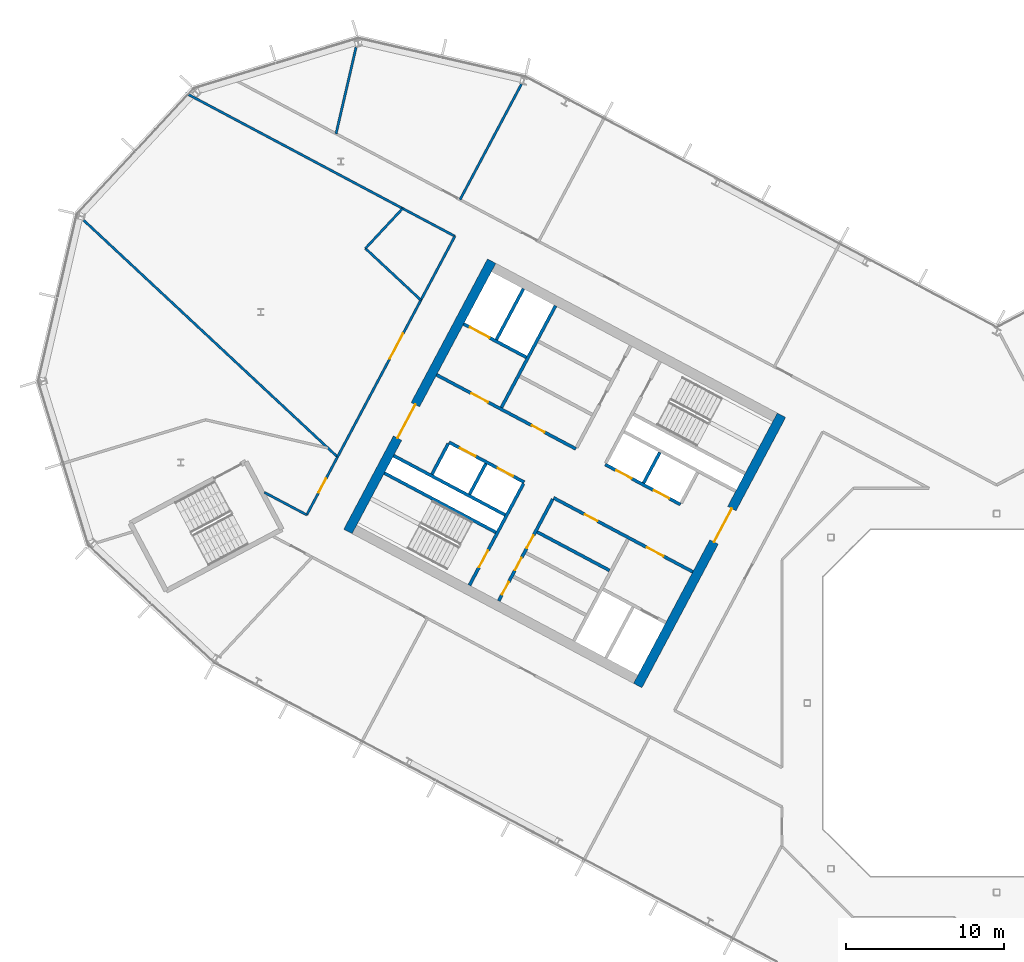
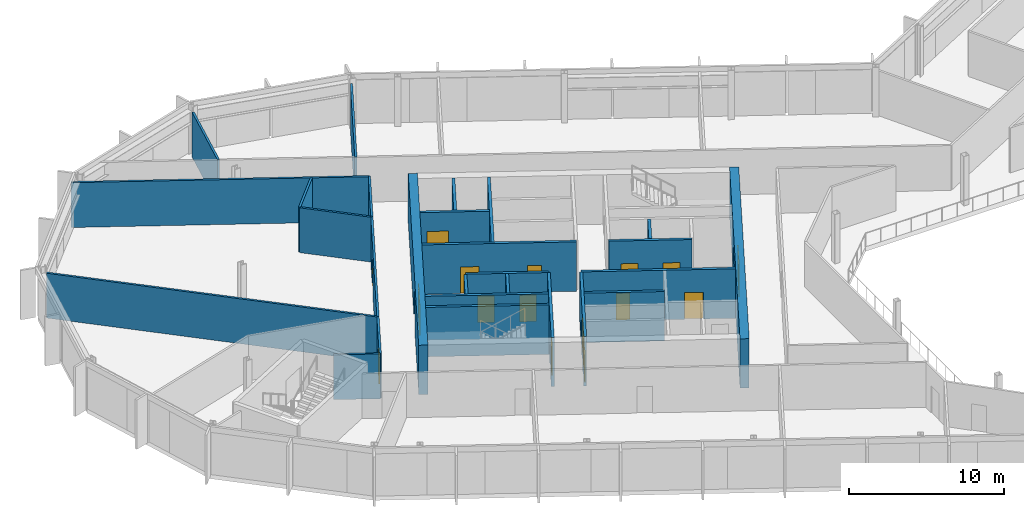
# One storey, part 14 of 27: 26 walls, 17 doors, 17 openings.
"""IFC4 building model written with IfcOpenShell, lengths in metres."""

from ifc_helpers import new_model, si_unit, direction, frame, frame_2d, origin, place, context, subcontext, project, spatial, rectangle, extrude, material, layer, layer_set, type_object, element, fill, save


model = new_model("IFC4")

# Units and contexts
model_context = context("Model", 3, precision=1e-05, world=origin(), true_north=direction((0.0, 1.0)))
body_context = subcontext(model_context, "Body", "Model", "MODEL_VIEW")
ifc_project = project(units=[si_unit("LENGTHUNIT", "METRE"), si_unit("AREAUNIT", "SQUARE_METRE"), si_unit("VOLUMEUNIT", "CUBIC_METRE"), si_unit("PLANEANGLEUNIT", "RADIAN"), si_unit("MASSUNIT", "GRAM", prefix="KILO")], contexts=[model_context])

# Site, building, storey
site_placement = place(None, origin())
site = spatial("IfcSite", under=ifc_project, at=site_placement, CompositionType="ELEMENT")
building_placement = place(site_placement, origin())
building = spatial("IfcBuilding", under=site, at=building_placement, Name="Cormorant Relay Tower", CompositionType="ELEMENT")
storey_placement = place(building_placement, frame((0.0, 0.0, 232.5)))
storey = spatial("IfcBuildingStorey", under=building, at=storey_placement, Name="L51", CompositionType="ELEMENT", Elevation=232.5)

# Walls
ifc_material_1 = material(Name="Concrete 40 MPa", Category="concrete")
ifc_layer_1 = layer(ifc_material_1, 0.199951171875)
ifc_layer_set_1 = layer_set([ifc_layer_1], Name="Core internal wall 200")
wall_type_1 = type_object("IfcWallType", Name="Core internal wall 200", PredefinedType="SOLIDWALL", material=ifc_layer_set_1)
wall_1_placement = place(storey_placement, frame((-21.34375, 15.87890625, 0.0), z_axis=(0.0, 0.0, 1.0), x_axis=(-0.4694473164, -0.882960484464, 0.0)))
element("IfcWall", 1, at=wall_1_placement, inside=storey, type_object=wall_type_1, Name="L51 core A shaft and room wall", PredefinedType="SOLIDWALL", context=body_context, shape_type="SweptSolid", body=[
    extrude(rectangle(XDim=2.199951171875, YDim=0.199951171875, at=frame_2d((1.10009765625, 0.0))), origin(), (0.0, 0.0, 1.0), 3.89990234375),
])
wall_2_placement = place(storey_placement, frame((-32.3662109375, 15.1708984375, 0.0), z_axis=(0.0, 0.0, 1.0), x_axis=(-0.469487830541, -0.882938942948, 0.0)))
element("IfcWall", 2, at=wall_2_placement, inside=storey, type_object=wall_type_1, Name="L51 core A shaft and room wall", PredefinedType="SOLIDWALL", context=body_context, shape_type="SweptSolid", body=[
    extrude(rectangle(XDim=2.2001953125, YDim=0.199951171875, at=frame_2d((1.10009765625, 0.0))), origin(), (0.0, 0.0, 1.0), 3.89990234375),
])

# Wall, openings, doors
ifc_material_2 = material(Name="Concrete 50 MPa", Category="concrete")
ifc_layer_2 = layer(ifc_material_2, 0.199951171875)
ifc_layer_set_2 = layer_set([ifc_layer_2], Name="Core shaft wall 200")
wall_type_2 = type_object("IfcWallType", Name="Core shaft wall 200", PredefinedType="SHEAR", material=ifc_layer_set_2)
wall_3_placement = place(storey_placement, frame((-28.128173828125, 12.91748046875, 0.0), z_axis=(0.0, 0.0, 1.0), x_axis=(-0.469454336211, -0.882956752176, 0.0)))
wall_3 = element("IfcWall", 3, at=wall_3_placement, inside=storey, type_object=wall_type_2, Name="L51 core A shaft wall", PredefinedType="SHEAR", context=body_context, shape_type="SweptSolid", body=[
    extrude(rectangle(XDim=7.300048828125, YDim=0.199951171875, at=frame_2d((3.64990234375, 0.0))), origin(), (0.0, 0.0, 1.0), 3.89990234375),
])
opening_1_placement = place(wall_3_placement, frame((2.60009765625, 0.0, 0.0)))
opening_1 = element("IfcOpeningElement", 4, at=opening_1_placement, cuts=wall_3, Name="Opening CDD-278", PredefinedType="OPENING", context=body_context, shape_type="SweptSolid", body=[
    extrude(rectangle(XDim=0.89990234375, YDim=2.10009765625, at=frame_2d((0.449951171875, 1.050048828125))), frame((0.0, 0.10986328125, 0.0), z_axis=(0.0, -1.0, 0.0), x_axis=(1.0, 0.0, 0.0)), (0.0, 0.0, 1.0), 0.219970703125),
])
opening_2_placement = place(wall_3_placement, frame((4.199951171875, 0.0, 0.0)))
opening_2 = element("IfcOpeningElement", 5, at=opening_2_placement, cuts=wall_3, Name="Opening CDD-279", PredefinedType="OPENING", context=body_context, shape_type="SweptSolid", body=[
    extrude(rectangle(XDim=0.89990234375, YDim=2.10009765625, at=frame_2d((0.449951171875, 1.050048828125))), frame((0.0, 0.10986328125, 0.0), z_axis=(0.0, -1.0, 0.0), x_axis=(1.0, 0.0, 0.0)), (0.0, 0.0, 1.0), 0.219970703125),
])
opening_3_placement = place(wall_3_placement, frame((5.949951171875, 0.0, 0.0)))
opening_3 = element("IfcOpeningElement", 6, at=opening_3_placement, cuts=wall_3, Name="Opening CDD-280", PredefinedType="OPENING", context=body_context, shape_type="SweptSolid", body=[
    extrude(rectangle(XDim=0.89990234375, YDim=2.10009765625, at=frame_2d((0.449951171875, 1.050048828125))), frame((0.0, 0.10986328125, 0.0), z_axis=(0.0, -1.0, 0.0), x_axis=(1.0, 0.0, 0.0)), (0.0, 0.0, 1.0), 0.219970703125),
])
ifc_material_3 = material(Name="Steel fire door", Category="steel")
door_type_1 = type_object("IfcDoorType", Name="Core room door 900x2100", OperationType="SINGLE_SWING_LEFT", PredefinedType="DOOR", material=ifc_material_3)
door_1_placement = place(opening_1_placement, origin())
door_1 = element("IfcDoor", 7, at=door_1_placement, inside=storey, type_object=door_type_1, Name="Core room door 900x2100", OperationType="SINGLE_SWING_LEFT", OverallHeight=2.10009765625, OverallWidth=0.89990234375, PredefinedType="DOOR", context=body_context, shape_type="SweptSolid", body=[
    extrude(rectangle(XDim=0.89990234375, YDim=2.10009765625, at=frame_2d((0.449951171875, 1.050048828125))), frame((0.0, 0.02490234375, 0.0), z_axis=(0.0, -1.0, 0.0), x_axis=(1.0, 0.0, 0.0)), (0.0, 0.0, 1.0), 0.050048828125),
])
fill(opening_1, door_1)
door_2_placement = place(opening_2_placement, origin())
door_2 = element("IfcDoor", 8, at=door_2_placement, inside=storey, type_object=door_type_1, Name="Core room door 900x2100", OperationType="SINGLE_SWING_LEFT", OverallHeight=2.10009765625, OverallWidth=0.89990234375, PredefinedType="DOOR", context=body_context, shape_type="SweptSolid", body=[
    extrude(rectangle(XDim=0.89990234375, YDim=2.10009765625, at=frame_2d((0.449951171875, 1.050048828125))), frame((0.0, 0.02490234375, 0.0), z_axis=(0.0, -1.0, 0.0), x_axis=(1.0, 0.0, 0.0)), (0.0, 0.0, 1.0), 0.050048828125),
])
fill(opening_2, door_2)
door_3_placement = place(opening_3_placement, origin())
door_3 = element("IfcDoor", 9, at=door_3_placement, inside=storey, type_object=door_type_1, Name="Core room door 900x2100", OperationType="SINGLE_SWING_LEFT", OverallHeight=2.10009765625, OverallWidth=0.89990234375, PredefinedType="DOOR", context=body_context, shape_type="SweptSolid", body=[
    extrude(rectangle(XDim=0.89990234375, YDim=2.10009765625, at=frame_2d((0.449951171875, 1.050048828125))), frame((0.0, 0.02490234375, 0.0), z_axis=(0.0, -1.0, 0.0), x_axis=(1.0, 0.0, 0.0)), (0.0, 0.0, 1.0), 0.050048828125),
])
fill(opening_3, door_3)

# Wall, opening, door
wall_4_placement = place(storey_placement, frame((-29.982421875, 13.9033203125, 0.0), z_axis=(0.0, 0.0, 1.0), x_axis=(-0.469454336211, -0.882956752176, 0.0)))
wall_4 = element("IfcWall", 10, at=wall_4_placement, inside=storey, type_object=wall_type_2, Name="L51 core A shaft wall", PredefinedType="SHEAR", context=body_context, shape_type="SweptSolid", body=[
    extrude(rectangle(XDim=7.300048828125, YDim=0.199951171875, at=frame_2d((3.64990234375, 0.0))), origin(), (0.0, 0.0, 1.0), 3.89990234375),
])
opening_4_placement = place(wall_4_placement, frame((4.800048828125, 0.0, 0.0)))
opening_4 = element("IfcOpeningElement", 11, at=opening_4_placement, cuts=wall_4, Name="Opening CDB-039", PredefinedType="OPENING", context=body_context, shape_type="SweptSolid", body=[
    extrude(rectangle(XDim=1.199951171875, YDim=2.10009765625, at=frame_2d((0.60009765625, 1.050048828125))), frame((0.0, 0.10986328125, 0.0), z_axis=(0.0, -1.0, 0.0), x_axis=(1.0, 0.0, 0.0)), (0.0, 0.0, 1.0), 0.219970703125),
])
ifc_material_4 = material(Name="Steel fire door", Category="steel")
door_type_2 = type_object("IfcDoorType", Name="Core stair door 1200x2100", OperationType="SINGLE_SWING_LEFT", PredefinedType="DOOR", material=ifc_material_4)
door_4_placement = place(opening_4_placement, frame((1.199951171875, 0.0, 0.0), z_axis=(0.0, 0.0, 1.0), x_axis=(-1.0, 0.0, 0.0)))
door_4 = element("IfcDoor", 12, at=door_4_placement, inside=storey, type_object=door_type_2, Name="Core stair door 1200x2100", OperationType="SINGLE_SWING_RIGHT", OverallHeight=2.10009765625, OverallWidth=1.199951171875, PredefinedType="DOOR", context=body_context, shape_type="SweptSolid", body=[
    extrude(rectangle(XDim=1.199951171875, YDim=2.10009765625, at=frame_2d((0.60009765625, 1.050048828125))), frame((0.0, 0.02490234375, 0.0), z_axis=(0.0, -1.0, 0.0), x_axis=(1.0, 0.0, 0.0)), (0.0, 0.0, 1.0), 0.050048828125),
])
fill(opening_4, door_4)

# Walls
wall_5_placement = place(storey_placement, frame((-27.955322265625, 25.170654296875, 0.0), z_axis=(0.0, 0.0, 1.0), x_axis=(-0.469480409012, -0.88294288918, 0.0)))
element("IfcWall", 13, at=wall_5_placement, inside=storey, type_object=wall_type_2, Name="L51 core A shaft wall", PredefinedType="SHEAR", context=body_context, shape_type="SweptSolid", body=[
    extrude(rectangle(XDim=7.300048828125, YDim=0.199951171875, at=frame_2d((3.64990234375, 0.0))), origin(), (0.0, 0.0, 1.0), 3.89990234375),
])
wall_6_placement = place(storey_placement, frame((-34.750244140625, 16.4384765625, 0.0), z_axis=(0.0, 0.0, 1.0), x_axis=(-0.469401318492, -0.882984938828, 0.0)))
element("IfcWall", 14, at=wall_6_placement, inside=storey, type_object=wall_type_2, Name="L51 core A shaft wall", PredefinedType="SHEAR", context=body_context, shape_type="SweptSolid", body=[
    extrude(rectangle(XDim=2.199951171875, YDim=0.199951171875, at=frame_2d((1.10009765625, 0.0))), origin(), (0.0, 0.0, 1.0), 3.89990234375),
])
wall_7_placement = place(storey_placement, frame((-29.986083984375, 26.250244140625, 0.0), z_axis=(0.0, 0.0, 1.0), x_axis=(-0.469494272526, -0.882935517501, 0.0)))
element("IfcWall", 15, at=wall_7_placement, inside=storey, type_object=wall_type_2, Name="L51 core A shaft wall", PredefinedType="SHEAR", context=body_context, shape_type="SweptSolid", body=[
    extrude(rectangle(XDim=3.64990234375, YDim=0.199951171875, at=frame_2d((1.824951171875, 0.0))), origin(), (0.0, 0.0, 1.0), 3.89990234375),
])

# Wall, opening, door
wall_8_placement = place(storey_placement, frame((-29.80419921875, 21.906494140625, 0.0), z_axis=(0.0, 0.0, 1.0), x_axis=(-0.882960433586, 0.469447412093, 0.0)))
wall_8 = element("IfcWall", 16, at=wall_8_placement, inside=storey, type_object=wall_type_2, Name="L51 core A shaft wall", PredefinedType="SHEAR", context=body_context, shape_type="SweptSolid", body=[
    extrude(rectangle(XDim=4.5, YDim=0.199951171875, at=frame_2d((2.25, 0.0))), origin(), (0.0, 0.0, 1.0), 3.89990234375),
])
opening_5_placement = place(wall_8_placement, frame((2.64990234375, 0.0, 0.0)))
opening_5 = element("IfcOpeningElement", 17, at=opening_5_placement, cuts=wall_8, Name="Opening LD3-015", PredefinedType="OPENING", context=body_context, shape_type="SweptSolid", body=[
    extrude(rectangle(XDim=1.39990234375, YDim=2.39990234375, at=frame_2d((0.699951171875, 1.199951171875))), frame((0.0, 0.10986328125, 0.0), z_axis=(0.0, -1.0, 0.0), x_axis=(1.0, 0.0, 0.0)), (0.0, 0.0, 1.0), 0.219970703125),
])
ifc_material_5 = material(Name="Stainless steel 316", Category="steel")
door_type_3 = type_object("IfcDoorType", Name="Lift landing door 1400x2400", OperationType="DOUBLE_DOOR_SLIDING", PredefinedType="DOOR", material=ifc_material_5)
door_5_placement = place(opening_5_placement, origin())
door_5 = element("IfcDoor", 18, at=door_5_placement, inside=storey, type_object=door_type_3, Name="SV1 landing door", OperationType="DOUBLE_DOOR_SLIDING", OverallHeight=2.39990234375, OverallWidth=1.39990234375, PredefinedType="DOOR", context=body_context, shape_type="SweptSolid", body=[
    extrude(rectangle(XDim=1.39990234375, YDim=2.39990234375, at=frame_2d((0.699951171875, 1.199951171875))), frame((0.0, 0.02490234375, 0.0), z_axis=(0.0, -1.0, 0.0), x_axis=(1.0, 0.0, 0.0)), (0.0, 0.0, 1.0), 0.050048828125),
])
fill(opening_5, door_5)

# Wall, openings, doors
wall_9_placement = place(storey_placement, frame((-20.03955078125, 12.58056640625, 0.0), z_axis=(0.0, 0.0, 1.0), x_axis=(-0.882942972946, 0.469480251476, 0.0)))
wall_9 = element("IfcWall", 19, at=wall_9_placement, inside=storey, type_object=wall_type_2, Name="L51 core A shaft wall", PredefinedType="SHEAR", context=body_context, shape_type="SweptSolid", body=[
    extrude(rectangle(XDim=5.39990234375, YDim=0.199951171875, at=frame_2d((2.699951171875, 0.0))), origin(), (0.0, 0.0, 1.0), 3.89990234375),
])
opening_6_placement = place(wall_9_placement, frame((0.800048828125, 0.0, 0.0)))
opening_6 = element("IfcOpeningElement", 20, at=opening_6_placement, cuts=wall_9, Name="Opening LD1-061", PredefinedType="OPENING", context=body_context, shape_type="SweptSolid", body=[
    extrude(rectangle(XDim=1.10009765625, YDim=2.10009765625, at=frame_2d((0.550048828125, 1.050048828125))), frame((0.0, 0.10986328125, 0.0), z_axis=(0.0, -1.0, 0.0), x_axis=(1.0, 0.0, 0.0)), (0.0, 0.0, 1.0), 0.219970703125),
])
opening_7_placement = place(wall_9_placement, frame((3.5, 0.0, 0.0)))
opening_7 = element("IfcOpeningElement", 21, at=opening_7_placement, cuts=wall_9, Name="Opening LD1-062", PredefinedType="OPENING", context=body_context, shape_type="SweptSolid", body=[
    extrude(rectangle(XDim=1.10009765625, YDim=2.10009765625, at=frame_2d((0.550048828125, 1.050048828125))), frame((0.0, 0.10986328125, 0.0), z_axis=(0.0, -1.0, 0.0), x_axis=(1.0, 0.0, 0.0)), (0.0, 0.0, 1.0), 0.219970703125),
])
ifc_material_6 = material(Name="Stainless steel 316", Category="steel")
door_type_4 = type_object("IfcDoorType", Name="Lift landing door 1100x2100", OperationType="DOUBLE_DOOR_SLIDING", PredefinedType="DOOR", material=ifc_material_6)
door_6_placement = place(opening_6_placement, origin())
door_6 = element("IfcDoor", 22, at=door_6_placement, inside=storey, type_object=door_type_4, Name="MR3 landing door", OperationType="DOUBLE_DOOR_SLIDING", OverallHeight=2.10009765625, OverallWidth=1.10009765625, PredefinedType="DOOR", context=body_context, shape_type="SweptSolid", body=[
    extrude(rectangle(XDim=1.10009765625, YDim=2.10009765625, at=frame_2d((0.550048828125, 1.050048828125))), frame((0.0, 0.02490234375, 0.0), z_axis=(0.0, -1.0, 0.0), x_axis=(1.0, 0.0, 0.0)), (0.0, 0.0, 1.0), 0.050048828125),
])
fill(opening_6, door_6)
door_7_placement = place(opening_7_placement, origin())
door_7 = element("IfcDoor", 23, at=door_7_placement, inside=storey, type_object=door_type_4, Name="MR4 landing door", OperationType="DOUBLE_DOOR_SLIDING", OverallHeight=2.10009765625, OverallWidth=1.10009765625, PredefinedType="DOOR", context=body_context, shape_type="SweptSolid", body=[
    extrude(rectangle(XDim=1.10009765625, YDim=2.10009765625, at=frame_2d((0.550048828125, 1.050048828125))), frame((0.0, 0.02490234375, 0.0), z_axis=(0.0, -1.0, 0.0), x_axis=(1.0, 0.0, 0.0)), (0.0, 0.0, 1.0), 0.050048828125),
])
fill(opening_7, door_7)

wall_10_placement = place(storey_placement, frame((-26.66162109375, 16.1015625, 0.0), z_axis=(0.0, 0.0, 1.0), x_axis=(-0.882940221191, 0.469485426614, 0.0)))
wall_10 = element("IfcWall", 24, at=wall_10_placement, inside=storey, type_object=wall_type_2, Name="L51 core A shaft wall", PredefinedType="SHEAR", context=body_context, shape_type="SweptSolid", body=[
    extrude(rectangle(XDim=10.0, YDim=0.199951171875, at=frame_2d((5.0, 0.0))), origin(), (0.0, 0.0, 1.0), 3.89990234375),
])
opening_8_placement = place(wall_10_placement, frame((6.300048828125, 0.0, 0.0)))
opening_8 = element("IfcOpeningElement", 25, at=opening_8_placement, cuts=wall_10, Name="Opening CDC-034", PredefinedType="OPENING", context=body_context, shape_type="SweptSolid", body=[
    extrude(rectangle(XDim=1.199951171875, YDim=2.10009765625, at=frame_2d((0.60009765625, 1.050048828125))), frame((0.0, 0.10986328125, 0.0), z_axis=(0.0, -1.0, 0.0), x_axis=(1.0, 0.0, 0.0)), (0.0, 0.0, 1.0), 0.219970703125),
])
opening_9_placement = place(wall_10_placement, frame((2.25, 0.0, 0.0)))
opening_9 = element("IfcOpeningElement", 26, at=opening_9_placement, cuts=wall_10, Name="Opening CDD-255", PredefinedType="OPENING", context=body_context, shape_type="SweptSolid", body=[
    extrude(rectangle(XDim=0.89990234375, YDim=2.10009765625, at=frame_2d((0.449951171875, 1.050048828125))), frame((0.0, 0.10986328125, 0.0), z_axis=(0.0, -1.0, 0.0), x_axis=(1.0, 0.0, 0.0)), (0.0, 0.0, 1.0), 0.219970703125),
])
ifc_material_7 = material(Name="Steel fire door", Category="steel")
door_type_5 = type_object("IfcDoorType", Name="Core lobby door 1200x2100", OperationType="SINGLE_SWING_LEFT", PredefinedType="DOOR", material=ifc_material_7)
door_8_placement = place(opening_8_placement, origin())
door_8 = element("IfcDoor", 27, at=door_8_placement, inside=storey, type_object=door_type_5, Name="Core lobby door 1200x2100", OperationType="SINGLE_SWING_LEFT", OverallHeight=2.10009765625, OverallWidth=1.199951171875, PredefinedType="DOOR", context=body_context, shape_type="SweptSolid", body=[
    extrude(rectangle(XDim=1.199951171875, YDim=2.10009765625, at=frame_2d((0.60009765625, 1.050048828125))), frame((0.0, 0.02490234375, 0.0), z_axis=(0.0, -1.0, 0.0), x_axis=(1.0, 0.0, 0.0)), (0.0, 0.0, 1.0), 0.050048828125),
])
fill(opening_8, door_8)
door_9_placement = place(opening_9_placement, origin())
door_9 = element("IfcDoor", 28, at=door_9_placement, inside=storey, type_object=door_type_1, Name="Core room door 900x2100", OperationType="SINGLE_SWING_LEFT", OverallHeight=2.10009765625, OverallWidth=0.89990234375, PredefinedType="DOOR", context=body_context, shape_type="SweptSolid", body=[
    extrude(rectangle(XDim=0.89990234375, YDim=2.10009765625, at=frame_2d((0.449951171875, 1.050048828125))), frame((0.0, 0.02490234375, 0.0), z_axis=(0.0, -1.0, 0.0), x_axis=(1.0, 0.0, 0.0)), (0.0, 0.0, 1.0), 0.050048828125),
])
fill(opening_9, door_9)

wall_11_placement = place(storey_placement, frame((-19.251708984375, 8.31103515625, 0.0), z_axis=(0.0, 0.0, 1.0), x_axis=(-0.882955722218, 0.469456273365, 0.0)))
wall_11 = element("IfcWall", 29, at=wall_11_placement, inside=storey, type_object=wall_type_2, Name="L51 core A shaft wall", PredefinedType="SHEAR", context=body_context, shape_type="SweptSolid", body=[
    extrude(rectangle(XDim=10.0, YDim=0.199951171875, at=frame_2d((5.0, 0.0))), origin(), (0.0, 0.0, 1.0), 3.89990234375),
])
opening_10_placement = place(wall_11_placement, frame((2.10009765625, 0.0, 0.0)))
opening_10 = element("IfcOpeningElement", 30, at=opening_10_placement, cuts=wall_11, Name="Opening CDC-033", PredefinedType="OPENING", context=body_context, shape_type="SweptSolid", body=[
    extrude(rectangle(XDim=1.199951171875, YDim=2.10009765625, at=frame_2d((0.60009765625, 1.050048828125))), frame((0.0, 0.10986328125, 0.0), z_axis=(0.0, -1.0, 0.0), x_axis=(1.0, 0.0, 0.0)), (0.0, 0.0, 1.0), 0.219970703125),
])
opening_11_placement = place(wall_11_placement, frame((6.85009765625, 0.0, 0.0)))
opening_11 = element("IfcOpeningElement", 31, at=opening_11_placement, cuts=wall_11, Name="Opening CDD-254", PredefinedType="OPENING", context=body_context, shape_type="SweptSolid", body=[
    extrude(rectangle(XDim=0.89990234375, YDim=2.10009765625, at=frame_2d((0.449951171875, 1.050048828125))), frame((0.0, 0.10986328125, 0.0), z_axis=(0.0, -1.0, 0.0), x_axis=(1.0, 0.0, 0.0)), (0.0, 0.0, 1.0), 0.219970703125),
])
door_10_placement = place(opening_10_placement, origin())
door_10 = element("IfcDoor", 32, at=door_10_placement, inside=storey, type_object=door_type_5, Name="Core lobby door 1200x2100", OperationType="SINGLE_SWING_RIGHT", OverallHeight=2.10009765625, OverallWidth=1.199951171875, PredefinedType="DOOR", context=body_context, shape_type="SweptSolid", body=[
    extrude(rectangle(XDim=1.199951171875, YDim=2.10009765625, at=frame_2d((0.60009765625, 1.050048828125))), frame((0.0, 0.02490234375, 0.0), z_axis=(0.0, -1.0, 0.0), x_axis=(1.0, 0.0, 0.0)), (0.0, 0.0, 1.0), 0.050048828125),
])
fill(opening_10, door_10)
door_11_placement = place(opening_11_placement, origin())
door_11 = element("IfcDoor", 33, at=door_11_placement, inside=storey, type_object=door_type_1, Name="Core room door 900x2100", OperationType="SINGLE_SWING_LEFT", OverallHeight=2.10009765625, OverallWidth=0.89990234375, PredefinedType="DOOR", context=body_context, shape_type="SweptSolid", body=[
    extrude(rectangle(XDim=0.89990234375, YDim=2.10009765625, at=frame_2d((0.449951171875, 1.050048828125))), frame((0.0, 0.02490234375, 0.0), z_axis=(0.0, -1.0, 0.0), x_axis=(1.0, 0.0, 0.0)), (0.0, 0.0, 1.0), 0.050048828125),
])
fill(opening_11, door_11)

wall_12_placement = place(storey_placement, frame((-29.935302734375, 13.991455078125, 0.0), z_axis=(0.0, 0.0, 1.0), x_axis=(-0.882952937579, 0.469461510692, 0.0)))
wall_12 = element("IfcWall", 34, at=wall_12_placement, inside=storey, type_object=wall_type_2, Name="L51 core A shaft wall", PredefinedType="SHEAR", context=body_context, shape_type="SweptSolid", body=[
    extrude(rectangle(XDim=5.400146484375, YDim=0.199951171875, at=frame_2d((2.7001953125, 0.0))), origin(), (0.0, 0.0, 1.0), 3.89990234375),
])
opening_12_placement = place(wall_12_placement, frame((0.800048828125, 0.0, 0.0)))
opening_12 = element("IfcOpeningElement", 35, at=opening_12_placement, cuts=wall_12, Name="Opening LD1-059", PredefinedType="OPENING", context=body_context, shape_type="SweptSolid", body=[
    extrude(rectangle(XDim=1.10009765625, YDim=2.10009765625, at=frame_2d((0.550048828125, 1.050048828125))), frame((0.0, 0.10986328125, 0.0), z_axis=(0.0, -1.0, 0.0), x_axis=(1.0, 0.0, 0.0)), (0.0, 0.0, 1.0), 0.219970703125),
])
opening_13_placement = place(wall_12_placement, frame((3.5, 0.0, 0.0)))
opening_13 = element("IfcOpeningElement", 36, at=opening_13_placement, cuts=wall_12, Name="Opening LD1-060", PredefinedType="OPENING", context=body_context, shape_type="SweptSolid", body=[
    extrude(rectangle(XDim=1.10009765625, YDim=2.10009765625, at=frame_2d((0.550048828125, 1.050048828125))), frame((0.0, 0.10986328125, 0.0), z_axis=(0.0, -1.0, 0.0), x_axis=(1.0, 0.0, 0.0)), (0.0, 0.0, 1.0), 0.219970703125),
])
door_12_placement = place(opening_12_placement, origin())
door_12 = element("IfcDoor", 37, at=door_12_placement, inside=storey, type_object=door_type_4, Name="MR1 landing door", OperationType="DOUBLE_DOOR_SLIDING", OverallHeight=2.10009765625, OverallWidth=1.10009765625, PredefinedType="DOOR", context=body_context, shape_type="SweptSolid", body=[
    extrude(rectangle(XDim=1.10009765625, YDim=2.10009765625, at=frame_2d((0.550048828125, 1.050048828125))), frame((0.0, 0.02490234375, 0.0), z_axis=(0.0, -1.0, 0.0), x_axis=(1.0, 0.0, 0.0)), (0.0, 0.0, 1.0), 0.050048828125),
])
fill(opening_12, door_12)
door_13_placement = place(opening_13_placement, origin())
door_13 = element("IfcDoor", 38, at=door_13_placement, inside=storey, type_object=door_type_4, Name="MR2 landing door", OperationType="DOUBLE_DOOR_SLIDING", OverallHeight=2.10009765625, OverallWidth=1.10009765625, PredefinedType="DOOR", context=body_context, shape_type="SweptSolid", body=[
    extrude(rectangle(XDim=1.10009765625, YDim=2.10009765625, at=frame_2d((0.550048828125, 1.050048828125))), frame((0.0, 0.02490234375, 0.0), z_axis=(0.0, -1.0, 0.0), x_axis=(1.0, 0.0, 0.0)), (0.0, 0.0, 1.0), 0.050048828125),
])
fill(opening_13, door_13)

# Walls
wall_13_placement = place(storey_placement, frame((-24.5283203125, 8.3984375, 0.0), z_axis=(0.0, 0.0, 1.0), x_axis=(-0.882953967957, 0.469459572775, 0.0)))
element("IfcWall", 39, at=wall_13_placement, inside=storey, type_object=wall_type_2, Name="L51 core A shaft wall", PredefinedType="SHEAR", context=body_context, shape_type="SweptSolid", body=[
    extrude(rectangle(XDim=5.199951171875, YDim=0.199951171875, at=frame_2d((2.60009765625, 0.0))), origin(), (0.0, 0.0, 1.0), 3.89990234375),
])
for number, where, z_axis, x_axis, name in (
    (40, (-31.150390625, 11.91943359375, 0.0), (0.0, 0.0, 1.0), (-0.882940221191, 0.469485426614, 0.0), "L51 core A shaft wall"),
    (41, (-31.7373046875, 10.815673828125, 0.0), (0.0, 0.0, 1.0), (-0.882940221191, 0.469485426614, 0.0), "L51 core A shaft wall"),
):
    element("IfcWall", number, at=place(storey_placement, frame(where, z_axis=z_axis, x_axis=x_axis)), inside=storey, type_object=wall_type_2, Name=name, PredefinedType="SHEAR", context=body_context, shape_type="SweptSolid", body=[
        extrude(rectangle(XDim=8.0, YDim=0.199951171875, at=frame_2d((4.0, 0.0))), origin(), (0.0, 0.0, 1.0), 3.89990234375),
    ])

# Wall, opening, door
ifc_material_8 = material(Name="Concrete 50 MPa", Category="concrete")
ifc_layer_3 = layer(ifc_material_8, 0.60009765625)
ifc_layer_set_3 = layer_set([ifc_layer_3], Name="Core wall 600")
wall_type_3 = type_object("IfcWallType", Name="Core wall 600", PredefinedType="SHEAR", material=ifc_layer_set_3)
wall_14_placement = place(storey_placement, frame((-13.634765625, 18.235595703125, 0.0), z_axis=(0.0, 0.0, 1.0), x_axis=(-0.469478769487, -0.88294376095, 0.0)))
wall_14 = element("IfcWall", 42, at=wall_14_placement, inside=storey, type_object=wall_type_3, Name="L51 core A wall", PredefinedType="SHEAR", context=body_context, shape_type="SweptSolid", body=[
    extrude(rectangle(XDim=19.400146484375, YDim=0.60009765625, at=frame_2d((9.7001953125, 0.0))), origin(), (0.0, 0.0, 1.0), 3.89990234375),
])
opening_14_placement = place(wall_14_placement, frame((6.699951171875, 0.0, 0.0)))
opening_14 = element("IfcOpeningElement", 43, at=opening_14_placement, cuts=wall_14, Name="Opening CDA-045", PredefinedType="OPENING", context=body_context, shape_type="SweptSolid", body=[
    extrude(rectangle(XDim=2.39990234375, YDim=2.39990234375, at=frame_2d((1.199951171875, 1.199951171875))), frame((0.0, 0.31005859375, 0.0), z_axis=(0.0, -1.0, 0.0), x_axis=(1.0, 0.0, 0.0)), (0.0, 0.0, 1.0), 0.6201171875),
])
ifc_material_9 = material(Name="Steel fire door", Category="steel")
door_type_6 = type_object("IfcDoorType", Name="Core lobby door 2400x2400", OperationType="DOUBLE_DOOR_SINGLE_SWING", PredefinedType="DOOR", material=ifc_material_9)
door_14_placement = place(opening_14_placement, origin())
door_14 = element("IfcDoor", 44, at=door_14_placement, inside=storey, type_object=door_type_6, Name="Core lobby door 2400x2400", OperationType="DOUBLE_DOOR_SINGLE_SWING", OverallHeight=2.39990234375, OverallWidth=2.39990234375, PredefinedType="DOOR", context=body_context, shape_type="SweptSolid", body=[
    extrude(rectangle(XDim=2.39990234375, YDim=2.39990234375, at=frame_2d((1.199951171875, 1.199951171875))), frame((0.0, 0.02490234375, 0.0), z_axis=(0.0, -1.0, 0.0), x_axis=(1.0, 0.0, 0.0)), (0.0, 0.0, 1.0), 0.050048828125),
])
fill(opening_14, door_14)

wall_15_placement = place(storey_placement, frame((-32.000244140625, 28.000732421875, 0.0), z_axis=(0.0, 0.0, 1.0), x_axis=(-0.469468958625, -0.882948977511, 0.0)))
wall_15 = element("IfcWall", 45, at=wall_15_placement, inside=storey, type_object=wall_type_3, Name="L51 core A wall", PredefinedType="SHEAR", context=body_context, shape_type="SweptSolid", body=[
    extrude(rectangle(XDim=19.39990234375, YDim=0.60009765625, at=frame_2d((9.699951171875, 0.0))), origin(), (0.0, 0.0, 1.0), 3.89990234375),
])
opening_15_placement = place(wall_15_placement, frame((10.300048828125, 0.0, 0.0)))
opening_15 = element("IfcOpeningElement", 46, at=opening_15_placement, cuts=wall_15, Name="Opening CDA-041", PredefinedType="OPENING", context=body_context, shape_type="SweptSolid", body=[
    extrude(rectangle(XDim=2.39990234375, YDim=2.39990234375, at=frame_2d((1.199951171875, 1.199951171875))), frame((0.0, 0.31005859375, 0.0), z_axis=(0.0, -1.0, 0.0), x_axis=(1.0, 0.0, 0.0)), (0.0, 0.0, 1.0), 0.6201171875),
])
door_15_placement = place(opening_15_placement, origin())
door_15 = element("IfcDoor", 47, at=door_15_placement, inside=storey, type_object=door_type_6, Name="Core lobby door 2400x2400", OperationType="DOUBLE_DOOR_SINGLE_SWING", OverallHeight=2.39990234375, OverallWidth=2.39990234375, PredefinedType="DOOR", context=body_context, shape_type="SweptSolid", body=[
    extrude(rectangle(XDim=2.39990234375, YDim=2.39990234375, at=frame_2d((1.199951171875, 1.199951171875))), frame((0.0, 0.02490234375, 0.0), z_axis=(0.0, -1.0, 0.0), x_axis=(1.0, 0.0, 0.0)), (0.0, 0.0, 1.0), 0.050048828125),
])
fill(opening_15, door_15)

ifc_material_10 = material(Name="Gypsum board fire partition")
ifc_layer_4 = layer(ifc_material_10, 0.14990234375)
ifc_layer_set_4 = layer_set([ifc_layer_4], Name="Corridor partition 150 EI 60")
wall_type_4 = type_object("IfcWallType", Name="Corridor partition 150 EI 60", PredefinedType="PARTITIONING", material=ifc_layer_set_4)
wall_16_placement = place(storey_placement, frame((-41.76904296875, 15.592041015625, 0.0), z_axis=(0.0, 0.0, 1.0), x_axis=(0.469444027343, 0.882962233163, 0.0)))
wall_16 = element("IfcWall", 48, at=wall_16_placement, inside=storey, type_object=wall_type_4, Name="wall/L51/part/007", PredefinedType="PARTITIONING", context=body_context, shape_type="SweptSolid", body=[
    extrude(rectangle(XDim=15.84228515625, YDim=0.14990234375, at=frame_2d((7.921142578125, 0.0))), origin(), (0.0, 0.0, 1.0), 3.5400390625),
])
opening_16_placement = place(wall_16_placement, frame((7.050048828125, 0.0, 0.0)))
opening_16 = element("IfcOpeningElement", 49, at=opening_16_placement, cuts=wall_16, Name="Opening DD-028", PredefinedType="OPENING", context=body_context, shape_type="SweptSolid", body=[
    extrude(rectangle(XDim=1.800048828125, YDim=2.10009765625, at=frame_2d((0.89990234375, 1.050048828125))), frame((0.0, 0.0849609375, 0.0), z_axis=(0.0, -1.0, 0.0), x_axis=(1.0, 0.0, 0.0)), (0.0, 0.0, 1.0), 0.169921875),
])
ifc_material_11 = material(Name="Timber door leaf", Category="wood")
door_type_7 = type_object("IfcDoorType", Name="Suite double door 1800x2100", OperationType="DOUBLE_DOOR_SINGLE_SWING", PredefinedType="DOOR", material=ifc_material_11)
door_16_placement = place(opening_16_placement, origin())
door_16 = element("IfcDoor", 50, at=door_16_placement, inside=storey, type_object=door_type_7, Name="door/L51/005", OperationType="DOUBLE_DOOR_SINGLE_SWING", OverallHeight=2.10009765625, OverallWidth=1.800048828125, PredefinedType="DOOR", context=body_context, shape_type="SweptSolid", body=[
    extrude(rectangle(XDim=1.800048828125, YDim=2.10009765625, at=frame_2d((0.89990234375, 1.050048828125))), frame((0.0, 0.02490234375, 0.0), z_axis=(0.0, -1.0, 0.0), x_axis=(1.0, 0.0, 0.0)), (0.0, 0.0, 1.0), 0.050048828125),
])
fill(opening_16, door_16)

# Walls
wall_17_placement = place(storey_placement, frame((-34.33203125, 29.580078125, 0.0), z_axis=(0.0, 0.0, 1.0), x_axis=(-0.882939350293, 0.46948706447, 0.0)))
element("IfcWall", 51, at=wall_17_placement, inside=storey, type_object=wall_type_4, Name="wall/L51/part/008", PredefinedType="PARTITIONING", context=body_context, shape_type="SweptSolid", body=[
    extrude(rectangle(XDim=19.327392578125, YDim=0.14990234375, at=frame_2d((9.66357421875, 0.0))), origin(), (0.0, 0.0, 1.0), 3.5400390625),
])
wall_18_placement = place(storey_placement, frame((-46.403076171875, 13.346923828125, 0.0), z_axis=(0.0, 0.0, 1.0), x_axis=(0.882959580004, -0.46944901755, 0.0)))
element("IfcWall", 52, at=wall_18_placement, inside=storey, type_object=wall_type_4, Name="wall/L51/part/013", PredefinedType="PARTITIONING", context=body_context, shape_type="SweptSolid", body=[
    extrude(rectangle(XDim=3.03759765625, YDim=0.14990234375, at=frame_2d((1.518798828125, 0.0))), origin(), (0.0, 0.0, 1.0), 3.5400390625),
])

# Wall, opening, door
wall_19_placement = place(storey_placement, frame((-41.76904296875, 15.592041015625, 0.0), z_axis=(0.0, 0.0, 1.0), x_axis=(-0.468884925056, -0.883259263781, 0.0)))
wall_19 = element("IfcWall", 53, at=wall_19_placement, inside=storey, type_object=wall_type_4, Name="wall/L51/part/014", PredefinedType="PARTITIONING", context=body_context, shape_type="SweptSolid", body=[
    extrude(rectangle(XDim=4.160888671875, YDim=0.14990234375, at=frame_2d((2.08056640625, 0.0))), origin(), (0.0, 0.0, 1.0), 3.5400390625),
])
opening_17_placement = place(wall_19_placement, frame((1.550048828125, 0.0, 0.0)))
opening_17 = element("IfcOpeningElement", 54, at=opening_17_placement, cuts=wall_19, Name="Opening DS-127", PredefinedType="OPENING", context=body_context, shape_type="SweptSolid", body=[
    extrude(rectangle(XDim=1.0, YDim=2.10009765625, at=frame_2d((0.5, 1.050048828125))), frame((0.0, 0.0849609375, 0.0), z_axis=(0.0, -1.0, 0.0), x_axis=(1.0, 0.0, 0.0)), (0.0, 0.0, 1.0), 0.169921875),
])
ifc_material_12 = material(Name="Timber door leaf", Category="wood")
door_type_8 = type_object("IfcDoorType", Name="Suite door 1000x2100", OperationType="SINGLE_SWING_LEFT", PredefinedType="DOOR", material=ifc_material_12)
door_17_placement = place(opening_17_placement, frame((1.0, 0.0, 0.0), z_axis=(0.0, 0.0, 1.0), x_axis=(-1.0, 0.0, 0.0)))
door_17 = element("IfcDoor", 55, at=door_17_placement, inside=storey, type_object=door_type_8, Name="door/L51/006", OperationType="SINGLE_SWING_RIGHT", OverallHeight=2.10009765625, OverallWidth=1.0, PredefinedType="DOOR", context=body_context, shape_type="SweptSolid", body=[
    extrude(rectangle(XDim=1.0, YDim=2.10009765625, at=frame_2d((0.5, 1.050048828125))), frame((0.0, 0.02490234375, 0.0), z_axis=(0.0, -1.0, 0.0), x_axis=(1.0, 0.0, 0.0)), (0.0, 0.0, 1.0), 0.050048828125),
])
fill(opening_17, door_17)

# Walls
ifc_material_13 = material(Name="Gypsum board partition")
ifc_layer_5 = layer(ifc_material_13, 0.14990234375)
ifc_layer_set_5 = layer_set([ifc_layer_5], Name="Tenant partition 150")
wall_type_5 = type_object("IfcWallType", Name="Tenant partition 150", PredefinedType="PARTITIONING", material=ifc_layer_set_5)
wall_20_placement = place(storey_placement, frame((-37.639892578125, 31.339111328125, 0.0), z_axis=(0.0, 0.0, 1.0), x_axis=(-0.681983873773, -0.731367210035, 0.0)))
element("IfcWall", 56, at=wall_20_placement, inside=storey, type_object=wall_type_5, Name="wall/L51/part/003", PredefinedType="PARTITIONING", context=body_context, shape_type="SweptSolid", body=[
    extrude(rectangle(XDim=3.460693359375, YDim=0.14990234375, at=frame_2d((1.73046875, 0.0))), origin(), (0.0, 0.0, 1.0), 3.5400390625),
])
wall_21_placement = place(storey_placement, frame((-40.0, 28.80810546875, 0.0), z_axis=(0.0, 0.0, 1.0), x_axis=(0.731313661346, -0.682041295471, 0.0)))
element("IfcWall", 57, at=wall_21_placement, inside=storey, type_object=wall_type_5, Name="wall/L51/part/004", PredefinedType="PARTITIONING", context=body_context, shape_type="SweptSolid", body=[
    extrude(rectangle(XDim=4.80615234375, YDim=0.14990234375, at=frame_2d((2.403076171875, 0.0))), origin(), (0.0, 0.0, 1.0), 3.5400390625),
])
wall_22_placement = place(storey_placement, frame((-41.76904296875, 15.593017578125, 0.0), z_axis=(0.0, 0.0, 1.0), x_axis=(-0.731378467381, 0.681971801067, 0.0)))
element("IfcWall", 58, at=wall_22_placement, inside=storey, type_object=wall_type_5, Name="wall/L51/part/005", PredefinedType="PARTITIONING", context=body_context, shape_type="SweptSolid", body=[
    extrude(rectangle(XDim=21.999267578125, YDim=0.14990234375, at=frame_2d((10.99951171875, 0.0))), origin(), (0.0, 0.0, 1.0), 3.5400390625),
])
wall_23_placement = place(storey_placement, frame((-30.10888671875, 39.22509765625, 0.0), z_axis=(0.0, 0.0, 1.0), x_axis=(-0.469479281405, -0.882943488753, 0.0)))
element("IfcWall", 59, at=wall_23_placement, inside=storey, type_object=wall_type_5, Name="wall/L51/part/017", PredefinedType="PARTITIONING", context=body_context, shape_type="SweptSolid", body=[
    extrude(rectangle(XDim=8.298583984375, YDim=0.14990234375, at=frame_2d((4.1494140625, 0.0))), origin(), (0.0, 0.0, 1.0), 3.5400390625),
])
wall_24_placement = place(storey_placement, frame((-41.860107421875, 36.074951171875, 0.0), z_axis=(0.0, 0.0, 1.0), x_axis=(0.225075040805, 0.974341431946, 0.0)))
element("IfcWall", 60, at=wall_24_placement, inside=storey, type_object=wall_type_5, Name="wall/L51/part/018", PredefinedType="PARTITIONING", context=body_context, shape_type="SweptSolid", body=[
    extrude(rectangle(XDim=5.625244140625, YDim=0.14990234375, at=frame_2d((2.8125, 0.0))), origin(), (0.0, 0.0, 1.0), 3.5400390625),
])

save(model, "model.ifc")
